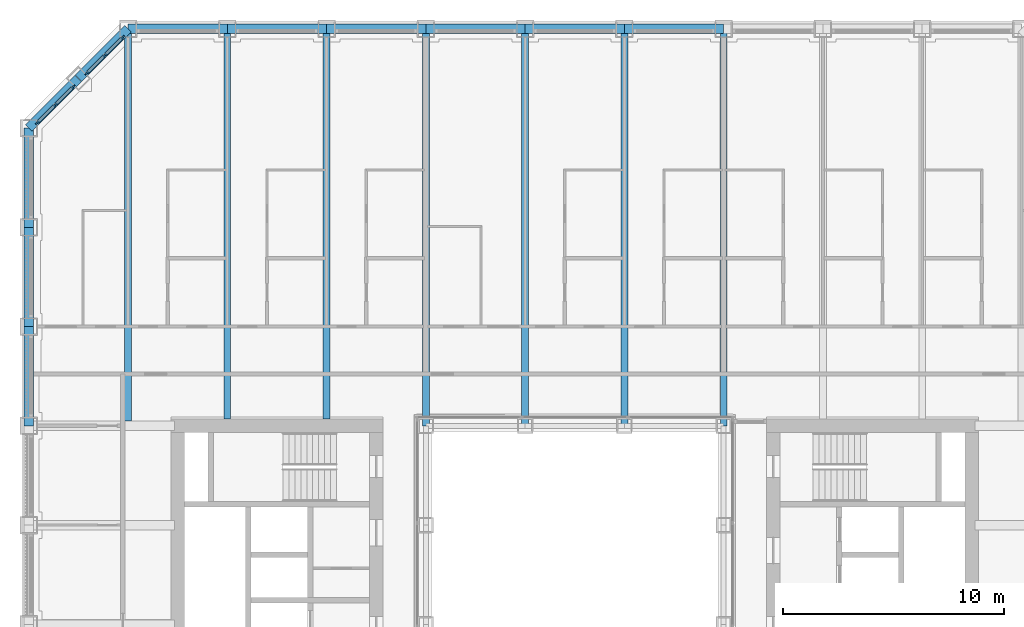
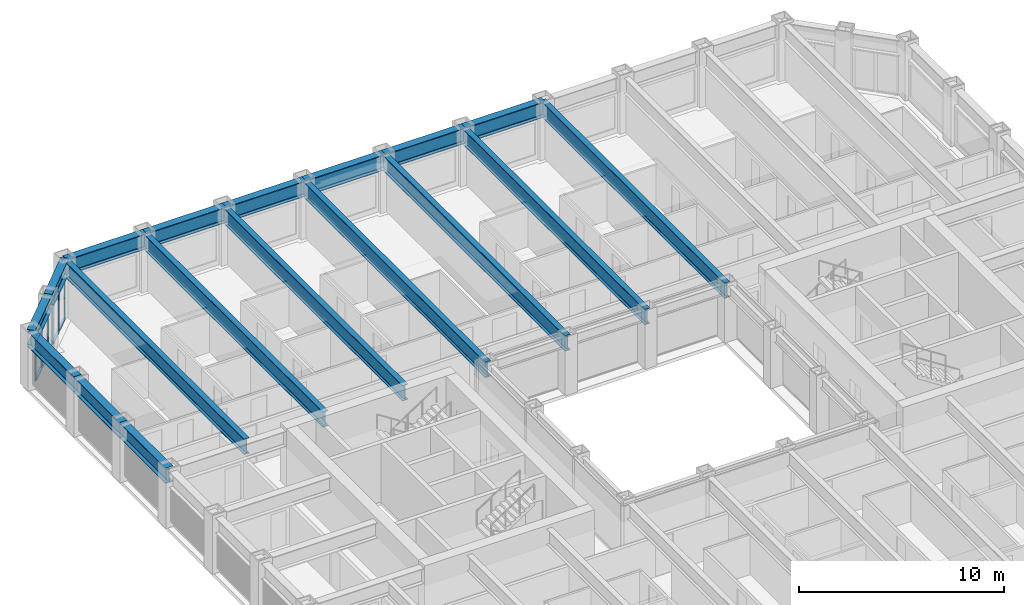
# One storey, part 6 of 21: 18 beams, 14 members, 2 elements without a shape of their own.
"""IFC4 building model written with IfcOpenShell, lengths in metres."""

from ifc_helpers import new_model, si_unit, direction, frame, origin, origin_2d, place, context, subcontext, project, spatial, rectangle, i_section, extrude, material, material_profile, profile_set, type_object, element, aggregate, save


model = new_model("IFC4")

# Units and contexts
model_context = context("Model", 3, precision=1e-05, world=origin(), true_north=direction((0.0, 1.0)))
body_context = subcontext(model_context, "Body", "Model", "MODEL_VIEW")
ifc_project = project(units=[si_unit("LENGTHUNIT", "METRE"), si_unit("AREAUNIT", "SQUARE_METRE"), si_unit("VOLUMEUNIT", "CUBIC_METRE"), si_unit("PLANEANGLEUNIT", "RADIAN"), si_unit("MASSUNIT", "GRAM", prefix="KILO")], contexts=[model_context])

# Site, building, storey
site_placement = place(None, origin())
site = spatial("IfcSite", under=ifc_project, at=site_placement, CompositionType="ELEMENT")
building_placement = place(site_placement, origin())
building = spatial("IfcBuilding", under=site, at=building_placement, Name="Msasa Ring Tower", CompositionType="ELEMENT")
storey_placement = place(building_placement, frame((0.0, 0.0, 68.5)))
storey = spatial("IfcBuildingStorey", under=building, at=storey_placement, Name="L17", CompositionType="ELEMENT", Elevation=68.5)

# Curtain wall, members
ifc_material_1 = material(Name="Aluminium curtain wall with clear glass", Category="aluminium")
curtain_wall_type = type_object("IfcCurtainWallType", Name="CW-C CHAMFER CORNER CURTAIN WALL", PredefinedType="NOTDEFINED", material=ifc_material_1)
curtain_wall_1_placement = place(storey_placement, origin())
curtain_wall_1 = element("IfcCurtainWall", 1, at=curtain_wall_1_placement, inside=storey, type_object=curtain_wall_type, Name="Chamfer corner curtain wall NW L17", PredefinedType="NOTDEFINED")
ifc_material_2 = material(Name="Aluminium mullion", Category="aluminium")
ifc_material_profile_1 = material_profile(ifc_material_2, rectangle(XDim=0.06494140625, YDim=0.179931640625, at=origin_2d()), Name="AL 65x180")
ifc_profile_set_1 = profile_set([ifc_material_profile_1], Name="Aluminium mullion")
member_type_1 = type_object("IfcMemberType", Name="CW-C MULLION 65x180", PredefinedType="MULLION", material=ifc_profile_set_1)
member_1_placement = place(storey_placement, frame((-22.73876953125, 22.119873046875, 0.0), z_axis=(0.0, 0.0, 1.0), x_axis=(0.707106781187, -0.707106781187, 0.0)))
member_1 = element("IfcMember", 2, at=member_1_placement, type_object=member_type_1, Name="CW-C mullion 1", PredefinedType="MULLION", context=body_context, shape_type="SweptSolid", body=[
    extrude(rectangle(XDim=0.06494140625, YDim=0.179931640625, at=origin_2d()), origin(), (0.0, 0.0, 1.0), 2.37890625),
])
member_2_placement = place(storey_placement, frame((-23.55419921875, 21.30419921875, 0.0), z_axis=(0.0, 0.0, 1.0), x_axis=(0.707106781187, -0.707106781187, 0.0)))
member_2 = element("IfcMember", 3, at=member_2_placement, type_object=member_type_1, Name="CW-C mullion 2", PredefinedType="MULLION", context=body_context, shape_type="SweptSolid", body=[
    extrude(rectangle(XDim=0.06494140625, YDim=0.179931640625, at=origin_2d()), origin(), (0.0, 0.0, 1.0), 2.37890625),
])
member_3_placement = place(storey_placement, frame((-24.369873046875, 20.48876953125, 0.0), z_axis=(0.0, 0.0, 1.0), x_axis=(0.707106781187, -0.707106781187, 0.0)))
member_3 = element("IfcMember", 4, at=member_3_placement, type_object=member_type_1, Name="CW-C mullion 3", PredefinedType="MULLION", context=body_context, shape_type="SweptSolid", body=[
    extrude(rectangle(XDim=0.06494140625, YDim=0.179931640625, at=origin_2d()), origin(), (0.0, 0.0, 1.0), 2.37890625),
])

curtain_wall_2_placement = place(storey_placement, origin())
curtain_wall_2 = element("IfcCurtainWall", 5, at=curtain_wall_2_placement, inside=storey, type_object=curtain_wall_type, Name="Chamfer corner curtain wall NW L17", PredefinedType="NOTDEFINED")
member_4_placement = place(storey_placement, frame((-20.48876953125, 24.369873046875, 0.0), z_axis=(0.0, 0.0, 1.0), x_axis=(0.707106781187, -0.707106781187, 0.0)))
member_4 = element("IfcMember", 6, at=member_4_placement, type_object=member_type_1, Name="CW-C mullion 1", PredefinedType="MULLION", context=body_context, shape_type="SweptSolid", body=[
    extrude(rectangle(XDim=0.06494140625, YDim=0.179931640625, at=origin_2d()), origin(), (0.0, 0.0, 1.0), 2.37890625),
])
member_5_placement = place(storey_placement, frame((-21.30419921875, 23.55419921875, 0.0), z_axis=(0.0, 0.0, 1.0), x_axis=(0.707106781187, -0.707106781187, 0.0)))
member_5 = element("IfcMember", 7, at=member_5_placement, type_object=member_type_1, Name="CW-C mullion 2", PredefinedType="MULLION", context=body_context, shape_type="SweptSolid", body=[
    extrude(rectangle(XDim=0.06494140625, YDim=0.179931640625, at=origin_2d()), origin(), (0.0, 0.0, 1.0), 2.37890625),
])
member_6_placement = place(storey_placement, frame((-22.119873046875, 22.73876953125, 0.0), z_axis=(0.0, 0.0, 1.0), x_axis=(0.707106781187, -0.707106781187, 0.0)))
member_6 = element("IfcMember", 8, at=member_6_placement, type_object=member_type_1, Name="CW-C mullion 3", PredefinedType="MULLION", context=body_context, shape_type="SweptSolid", body=[
    extrude(rectangle(XDim=0.06494140625, YDim=0.179931640625, at=origin_2d()), origin(), (0.0, 0.0, 1.0), 2.37890625),
])

# Member
ifc_material_3 = material(Name="Aluminium transom", Category="aluminium")
ifc_material_profile_2 = material_profile(ifc_material_3, rectangle(XDim=0.139892578125, YDim=0.06494140625, at=origin_2d()), Name="AL 65x140")
ifc_profile_set_2 = profile_set([ifc_material_profile_2], Name="Aluminium transom")
member_type_2 = type_object("IfcMemberType", Name="CW-C TRANSOM 65x140", PredefinedType="USERDEFINED", material=ifc_profile_set_2)
member_7_placement = place(storey_placement, frame((-22.76171875, 22.096923828125, 0.032470703125), z_axis=(-0.707106781187, -0.707106781187, 0.0), x_axis=(0.707106781187, -0.707106781187, 0.0)))
member_7 = element("IfcMember", 9, at=member_7_placement, type_object=member_type_2, Name="CW-C transom 1.1", ObjectType="TRANSOM", PredefinedType="USERDEFINED", context=body_context, shape_type="SweptSolid", body=[
    extrude(rectangle(XDim=0.139892578125, YDim=0.06494140625, at=origin_2d()), origin(), (0.0, 0.0, 1.0), 1.08837890625),
])

member_8_placement = place(storey_placement, frame((-22.76171875, 22.096923828125, 2.346435546875), z_axis=(-0.707106781187, -0.707106781187, 0.0), x_axis=(0.707106781187, -0.707106781187, 0.0)))
member_8 = element("IfcMember", 10, at=member_8_placement, type_object=member_type_2, Name="CW-C transom 1.2", ObjectType="TRANSOM", PredefinedType="USERDEFINED", context=body_context, shape_type="SweptSolid", body=[
    extrude(rectangle(XDim=0.139892578125, YDim=0.06494140625, at=origin_2d()), origin(), (0.0, 0.0, 1.0), 1.08837890625),
])

member_9_placement = place(storey_placement, frame((-23.577392578125, 21.28125, 0.032470703125), z_axis=(-0.707106781187, -0.707106781187, 0.0), x_axis=(0.707106781187, -0.707106781187, 0.0)))
member_9 = element("IfcMember", 11, at=member_9_placement, type_object=member_type_2, Name="CW-C transom 2.1", ObjectType="TRANSOM", PredefinedType="USERDEFINED", context=body_context, shape_type="SweptSolid", body=[
    extrude(rectangle(XDim=0.139892578125, YDim=0.06494140625, at=origin_2d()), origin(), (0.0, 0.0, 1.0), 1.08837890625),
])

member_10_placement = place(storey_placement, frame((-23.577392578125, 21.28125, 2.346435546875), z_axis=(-0.707106781187, -0.707106781187, 0.0), x_axis=(0.707106781187, -0.707106781187, 0.0)))
member_10 = element("IfcMember", 12, at=member_10_placement, type_object=member_type_2, Name="CW-C transom 2.2", ObjectType="TRANSOM", PredefinedType="USERDEFINED", context=body_context, shape_type="SweptSolid", body=[
    extrude(rectangle(XDim=0.139892578125, YDim=0.06494140625, at=origin_2d()), origin(), (0.0, 0.0, 1.0), 1.08837890625),
])

aggregate(curtain_wall_1, [member_1, member_2, member_3, member_7, member_8, member_9, member_10])

member_11_placement = place(storey_placement, frame((-20.51171875, 24.346923828125, 0.032470703125), z_axis=(-0.707106781187, -0.707106781187, 0.0), x_axis=(0.707106781187, -0.707106781187, 0.0)))
member_11 = element("IfcMember", 13, at=member_11_placement, type_object=member_type_2, Name="CW-C transom 1.1", ObjectType="TRANSOM", PredefinedType="USERDEFINED", context=body_context, shape_type="SweptSolid", body=[
    extrude(rectangle(XDim=0.139892578125, YDim=0.06494140625, at=origin_2d()), origin(), (0.0, 0.0, 1.0), 1.08837890625),
])

member_12_placement = place(storey_placement, frame((-20.51171875, 24.346923828125, 2.346435546875), z_axis=(-0.707106781187, -0.707106781187, 0.0), x_axis=(0.707106781187, -0.707106781187, 0.0)))
member_12 = element("IfcMember", 14, at=member_12_placement, type_object=member_type_2, Name="CW-C transom 1.2", ObjectType="TRANSOM", PredefinedType="USERDEFINED", context=body_context, shape_type="SweptSolid", body=[
    extrude(rectangle(XDim=0.139892578125, YDim=0.06494140625, at=origin_2d()), origin(), (0.0, 0.0, 1.0), 1.08837890625),
])

member_13_placement = place(storey_placement, frame((-21.327392578125, 23.53125, 0.032470703125), z_axis=(-0.707106781187, -0.707106781187, 0.0), x_axis=(0.707106781187, -0.707106781187, 0.0)))
member_13 = element("IfcMember", 15, at=member_13_placement, type_object=member_type_2, Name="CW-C transom 2.1", ObjectType="TRANSOM", PredefinedType="USERDEFINED", context=body_context, shape_type="SweptSolid", body=[
    extrude(rectangle(XDim=0.139892578125, YDim=0.06494140625, at=origin_2d()), origin(), (0.0, 0.0, 1.0), 1.08837890625),
])

member_14_placement = place(storey_placement, frame((-21.327392578125, 23.53125, 2.346435546875), z_axis=(-0.707106781187, -0.707106781187, 0.0), x_axis=(0.707106781187, -0.707106781187, 0.0)))
member_14 = element("IfcMember", 16, at=member_14_placement, type_object=member_type_2, Name="CW-C transom 2.2", ObjectType="TRANSOM", PredefinedType="USERDEFINED", context=body_context, shape_type="SweptSolid", body=[
    extrude(rectangle(XDim=0.139892578125, YDim=0.06494140625, at=origin_2d()), origin(), (0.0, 0.0, 1.0), 1.08837890625),
])

aggregate(curtain_wall_2, [member_4, member_5, member_6, member_11, member_12, member_13, member_14])

# Beams
ifc_material_4 = material(Name="Steel S355", Category="steel")
ifc_material_profile_3 = material_profile(ifc_material_4, i_section(OverallWidth=0.3076171875, OverallDepth=0.926513671875, WebThickness=0.01953125, FlangeThickness=0.031982421875, FilletRadius=0.01904296875, at=origin_2d()), Name="UB 914x305x289")
ifc_profile_set_3 = profile_set([ifc_material_profile_3], Name="Steel S355")
beam_type_1 = type_object("IfcBeamType", Name="FB3 UB 914x305x289", PredefinedType="BEAM", material=ifc_profile_set_3)
beam_placement = place(storey_placement, frame((-20.25, 24.75, 2.836669921875), z_axis=(0.0, -1.0, 0.0), x_axis=(1.0, 0.0, 0.0)))
element("IfcBeam", 17, at=beam_placement, inside=storey, type_object=beam_type_1, Name="Floor beam N-20.25 under L18", PredefinedType="BEAM", context=body_context, shape_type="SweptSolid", body=[
    extrude(i_section(OverallWidth=0.3076171875, OverallDepth=0.926513671875, WebThickness=0.01953125, FlangeThickness=0.031982421875, FilletRadius=0.01904296875, at=origin_2d()), origin(), (0.0, 0.0, 1.0), 17.789794921875),
])
for number, where, z_axis, x_axis, name in (
    (18, (-15.75, 24.75, 2.836669921875), (0.0, -1.0, 0.0), (1.0, 0.0, 0.0), "Floor beam N-15.75 under L18"),
    (19, (-11.25, 24.75, 2.836669921875), (0.0, -1.0, 0.0), (1.0, 0.0, 0.0), "Floor beam N-11.25 under L18"),
):
    element("IfcBeam", number, at=place(storey_placement, frame(where, z_axis=z_axis, x_axis=x_axis)), inside=storey, type_object=beam_type_1, Name=name, PredefinedType="BEAM", context=body_context, shape_type="SweptSolid", body=[
        extrude(i_section(OverallWidth=0.3076171875, OverallDepth=0.926513671875, WebThickness=0.01953125, FlangeThickness=0.031982421875, FilletRadius=0.01904296875, at=origin_2d()), origin(), (0.0, 0.0, 1.0), 17.699951171875),
    ])
for number, where, z_axis, x_axis, name in (
    (20, (-6.75, 24.75, 2.836669921875), (0.0, -1.0, 0.0), (1.0, 0.0, 0.0), "Floor beam N-6.75 under L18"),
    (21, (-2.25, 24.75, 2.836669921875), (0.0, -1.0, 0.0), (1.0, 0.0, 0.0), "Floor beam N-2.25 under L18"),
    (22, (2.25, 24.75, 2.836669921875), (0.0, -1.0, 0.0), (1.0, 0.0, 0.0), "Floor beam N+2.25 under L18"),
    (23, (6.75, 24.75, 2.836669921875), (0.0, -1.0, 0.0), (1.0, 0.0, 0.0), "Floor beam N+6.75 under L18"),
):
    element("IfcBeam", number, at=place(storey_placement, frame(where, z_axis=z_axis, x_axis=x_axis)), inside=storey, type_object=beam_type_1, Name=name, PredefinedType="BEAM", context=body_context, shape_type="SweptSolid", body=[
        extrude(i_section(OverallWidth=0.3076171875, OverallDepth=0.926513671875, WebThickness=0.01953125, FlangeThickness=0.031982421875, FilletRadius=0.01904296875, at=origin_2d()), origin(), (0.0, 0.0, 1.0), 18.0),
    ])
ifc_material_5 = material(Name="Steel S355", Category="steel")
ifc_material_profile_4 = material_profile(ifc_material_5, i_section(OverallWidth=0.42041015625, OverallDepth=0.9208984375, WebThickness=0.021484375, FlangeThickness=0.03662109375, FilletRadius=0.024169921875, at=origin_2d()), Name="UB 914x419x388")
ifc_profile_set_4 = profile_set([ifc_material_profile_4], Name="Steel S355")
beam_type_2 = type_object("IfcBeamType", Name="SB1 UB 914x419x388", PredefinedType="SPANDREL", material=ifc_profile_set_4)
for number, where, z_axis, x_axis, name in (
    (24, (6.75, 24.75, 2.839599609375), (-1.0, 0.0, 0.0), (0.0, -1.0, 0.0), "Spandrel N+6.75 to N+2.25 under L18"),
    (25, (2.25, 24.75, 2.839599609375), (-1.0, 0.0, 0.0), (0.0, -1.0, 0.0), "Spandrel N+2.25 to N-2.25 under L18"),
    (26, (-2.25, 24.75, 2.839599609375), (-1.0, 0.0, 0.0), (0.0, -1.0, 0.0), "Spandrel N-2.25 to N-6.75 under L18"),
    (27, (-6.75, 24.75, 2.839599609375), (-1.0, 0.0, 0.0), (0.0, -1.0, 0.0), "Spandrel N-6.75 to N-11.25 under L18"),
    (28, (-11.25, 24.75, 2.839599609375), (-1.0, 0.0, 0.0), (0.0, -1.0, 0.0), "Spandrel N-11.25 to N-15.75 under L18"),
    (29, (-15.75, 24.75, 2.839599609375), (-1.0, 0.0, 0.0), (0.0, -1.0, 0.0), "Spandrel N-15.75 to N-20.25 under L18"),
):
    element("IfcBeam", number, at=place(storey_placement, frame(where, z_axis=z_axis, x_axis=x_axis)), inside=storey, type_object=beam_type_2, Name=name, PredefinedType="SPANDREL", context=body_context, shape_type="SweptSolid", body=[
        extrude(i_section(OverallWidth=0.42041015625, OverallDepth=0.9208984375, WebThickness=0.021484375, FlangeThickness=0.03662109375, FilletRadius=0.024169921875, at=origin_2d()), origin(), (0.0, 0.0, 1.0), 4.5),
    ])
for number, where, z_axis, x_axis, name in (
    (30, (-20.25, 24.75, 2.839599609375), (-0.707106781187, -0.707106781187, 0.0), (0.707106781187, -0.707106781187, 0.0), "Spandrel N-20.25 to NW under L18"),
    (31, (-22.5, 22.5, 2.839599609375), (-0.707106781187, -0.707106781187, 0.0), (0.707106781187, -0.707106781187, 0.0), "Spandrel NW to W+20.25 under L18"),
):
    element("IfcBeam", number, at=place(storey_placement, frame(where, z_axis=z_axis, x_axis=x_axis)), inside=storey, type_object=beam_type_2, Name=name, PredefinedType="SPANDREL", context=body_context, shape_type="SweptSolid", body=[
        extrude(i_section(OverallWidth=0.42041015625, OverallDepth=0.9208984375, WebThickness=0.021484375, FlangeThickness=0.03662109375, FilletRadius=0.024169921875, at=origin_2d()), origin(), (0.0, 0.0, 1.0), 3.181884765625),
    ])
for number, where, z_axis, x_axis, name in (
    (32, (-24.75, 20.25, 2.839599609375), (0.0, -1.0, 0.0), (1.0, 0.0, 0.0), "Spandrel W+20.25 to W+15.75 under L18"),
    (33, (-24.75, 15.75, 2.839599609375), (0.0, -1.0, 0.0), (1.0, 0.0, 0.0), "Spandrel W+15.75 to W+11.25 under L18"),
    (34, (-24.75, 11.25, 2.839599609375), (0.0, -1.0, 0.0), (1.0, 0.0, 0.0), "Spandrel W+11.25 to W+6.75 under L18"),
):
    element("IfcBeam", number, at=place(storey_placement, frame(where, z_axis=z_axis, x_axis=x_axis)), inside=storey, type_object=beam_type_2, Name=name, PredefinedType="SPANDREL", context=body_context, shape_type="SweptSolid", body=[
        extrude(i_section(OverallWidth=0.42041015625, OverallDepth=0.9208984375, WebThickness=0.021484375, FlangeThickness=0.03662109375, FilletRadius=0.024169921875, at=origin_2d()), origin(), (0.0, 0.0, 1.0), 4.5),
    ])

save(model, "model.ifc")
